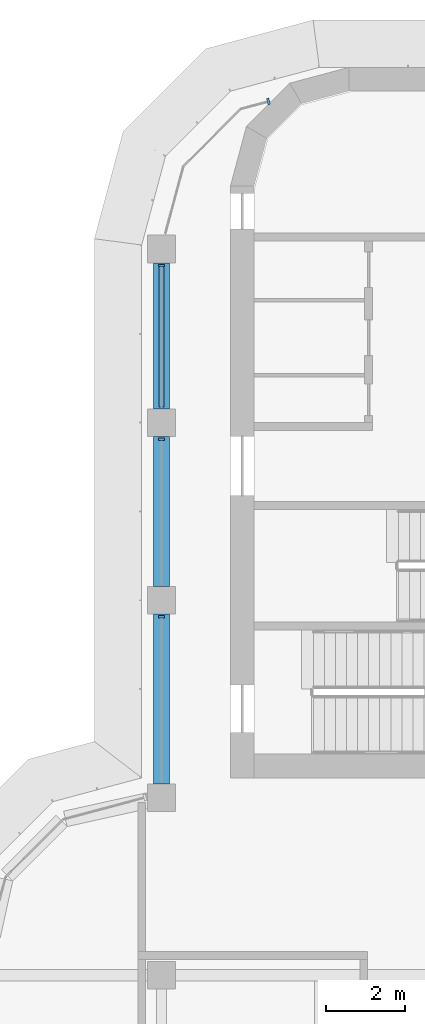
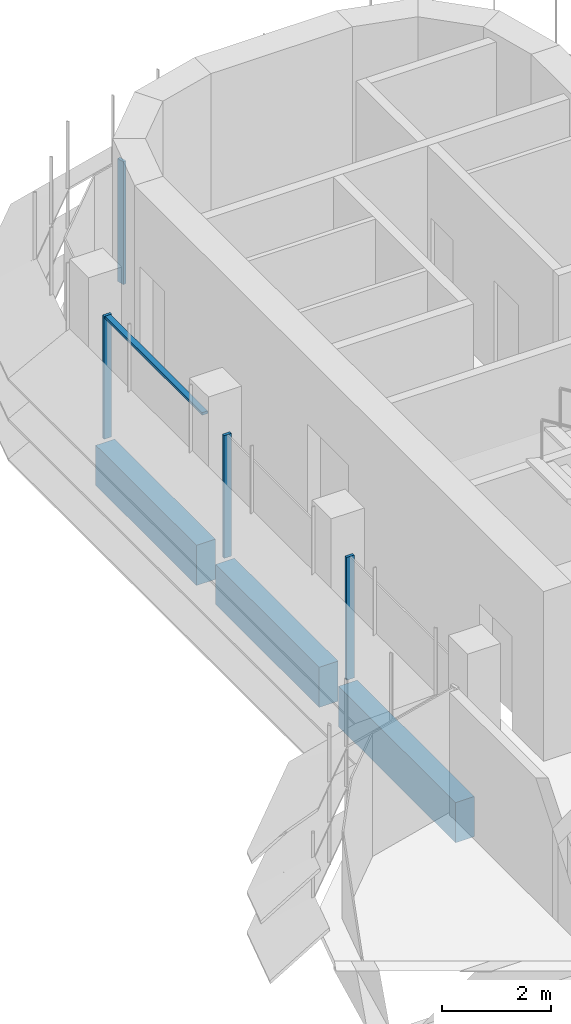
# One storey, part 7 of 19: 5 members, 3 beams, 2 elements without a shape of their own.
"""IFC4 building model written with IfcOpenShell, lengths in metres."""

from ifc_helpers import new_model, si_unit, direction, frame, origin, origin_2d, place, context, subcontext, project, spatial, polyline, rectangle, outline, extrude, source, transform, mapped, material, material_profile, profile_set, type_object, element, aggregate, save


model = new_model("IFC4")

# Units and contexts
model_context = context("Model", 3, precision=1e-05, world=origin(), true_north=direction((0.0, 1.0)))
body_context = subcontext(model_context, "Body", "Model", "MODEL_VIEW")
ifc_project = project(units=[si_unit("LENGTHUNIT", "METRE"), si_unit("AREAUNIT", "SQUARE_METRE"), si_unit("VOLUMEUNIT", "CUBIC_METRE"), si_unit("PLANEANGLEUNIT", "RADIAN"), si_unit("MASSUNIT", "GRAM", prefix="KILO")], contexts=[model_context])

# Site, building, storey
site_placement = place(None, origin())
site = spatial("IfcSite", under=ifc_project, at=site_placement, CompositionType="ELEMENT")
building_placement = place(site_placement, origin())
building = spatial("IfcBuilding", under=site, at=building_placement, Name="Zarbagh Exchange Tower", CompositionType="ELEMENT")
storey_placement = place(building_placement, frame((0.0, 0.0, 229.60009765625)))
storey = spatial("IfcBuildingStorey", under=building, at=storey_placement, Name="L56", CompositionType="ELEMENT", Elevation=229.60009765625)

# Beams
ifc_material_1 = material(Name="Concrete C50/60", Category="concrete")
ifc_material_profile = material_profile(ifc_material_1, rectangle(XDim=0.39990234375, YDim=0.89990234375, at=origin_2d()), Name="RC spandrel beam 400 x 900 C50/60")
ifc_profile_set = profile_set([ifc_material_profile], Name="Concrete C50/60")
beam_type = type_object("IfcBeamType", Name="RC spandrel beam 400 x 900 C50/60", PredefinedType="SPANDREL", material=ifc_profile_set)
beam_1_placement = place(storey_placement, frame((-6.25, 11.10009765625, -0.60009765625), z_axis=(0.0, 1.0, 0.0), x_axis=(-1.0, 0.0, 0.0)))
element("IfcBeam", 1, at=beam_1_placement, inside=storey, type_object=beam_type, Name="RC spandrel beam", PredefinedType="SPANDREL", context=body_context, shape_type="SweptSolid", body=[
    extrude(rectangle(XDim=0.39990234375, YDim=0.89990234375, at=origin_2d()), origin(), (0.0, 0.0, 1.0), 4.2998046875),
])
beam_2_placement = place(storey_placement, frame((-6.25, 16.10009765625, -0.60009765625), z_axis=(0.0, 1.0, 0.0), x_axis=(-1.0, 0.0, 0.0)))
element("IfcBeam", 2, at=beam_2_placement, inside=storey, type_object=beam_type, Name="RC spandrel beam", PredefinedType="SPANDREL", context=body_context, shape_type="SweptSolid", body=[
    extrude(rectangle(XDim=0.39990234375, YDim=0.89990234375, at=origin_2d()), origin(), (0.0, 0.0, 1.0), 3.7998046875),
])
beam_3_placement = place(storey_placement, frame((-6.25, 20.60009765625, -0.60009765625), z_axis=(0.0, 1.0, 0.0), x_axis=(-1.0, 0.0, 0.0)))
element("IfcBeam", 3, at=beam_3_placement, inside=storey, type_object=beam_type, Name="RC spandrel beam", PredefinedType="SPANDREL", context=body_context, shape_type="SweptSolid", body=[
    extrude(rectangle(XDim=0.39990234375, YDim=0.89990234375, at=origin_2d()), origin(), (0.0, 0.0, 1.0), 3.699951171875),
])

# Curtain wall, member
ifc_material_2 = material(Name="Anodised aluminium frame and glazing", Category="aluminium")
curtain_wall_type = type_object("IfcCurtainWallType", Name="CWB Ribbon glazing, upper zones", PredefinedType="NOTDEFINED", material=ifc_material_2)
curtain_wall_1_placement = place(storey_placement, origin())
curtain_wall_1 = element("IfcCurtainWall", 4, at=curtain_wall_1_placement, inside=storey, type_object=curtain_wall_type, Name="CWB70 curtain wall", PredefinedType="NOTDEFINED")
ifc_material_3 = material(Name="Anodised aluminium frame", Category="aluminium")
member_type_1 = type_object("IfcMemberType", Name="MUB Mullion, anodised aluminium frame", PredefinedType="MULLION", material=ifc_material_3)
shared_shape_1 = source(origin(), body_context, "Body", "SweptSolid", [
    extrude(outline(polyline([(0.0, -0.080078125), (0.06005859375, -0.080078125), (0.06005859375, 0.080078125), (0.0, 0.080078125), (0.0, -0.080078125)])), origin(), (0.0, 0.0, 1.0), 2.75),
])
placement = place(storey_placement, origin())
member_1 = element("IfcMember", 5, at=placement, type_object=member_type_1, Name="CWB70 mullion 1.1", PredefinedType="MULLION", context=body_context, shape_type="MappedRepresentation", body=[
    mapped(shared_shape_1, transform((-3.510009765625, 28.394775390625, 0.0), x_axis=(-0.965924289636, -0.258824779902, 0.0), y_axis=(0.258824779902, -0.965924289636, 0.0), z_axis=(0.0, 0.0, 1.0))),
])
aggregate(curtain_wall_1, [member_1])

# Curtain wall, members
curtain_wall_2_placement = place(storey_placement, origin())
curtain_wall_2 = element("IfcCurtainWall", 6, at=curtain_wall_2_placement, inside=storey, type_object=curtain_wall_type, Name="CWB73 curtain wall", PredefinedType="NOTDEFINED")
member_2 = element("IfcMember", 7, at=placement, type_object=member_type_1, Name="CWB73 mullion 1.1", PredefinedType="MULLION", context=body_context, shape_type="MappedRepresentation", body=[
    mapped(shared_shape_1, transform((-6.25, 24.260009765625, 0.0), x_axis=(0.0, -1.0, 0.0), y_axis=(1.0, 0.0, 0.0), z_axis=(0.0, 0.0, 1.0))),
])
member_3 = element("IfcMember", 8, at=placement, type_object=member_type_1, Name="CWB73 mullion 2.1", PredefinedType="MULLION", context=body_context, shape_type="MappedRepresentation", body=[
    mapped(shared_shape_1, transform((-6.25, 19.85986328125, 0.0), x_axis=(0.0, -1.0, 0.0), y_axis=(1.0, 0.0, 0.0), z_axis=(0.0, 0.0, 1.0))),
])
member_4 = element("IfcMember", 9, at=placement, type_object=member_type_1, Name="CWB73 mullion 3.1", PredefinedType="MULLION", context=body_context, shape_type="MappedRepresentation", body=[
    mapped(shared_shape_1, transform((-6.25, 15.35986328125, 0.0), x_axis=(0.0, -1.0, 0.0), y_axis=(1.0, 0.0, 0.0), z_axis=(0.0, 0.0, 1.0))),
])
member_type_2 = type_object("IfcMemberType", Name="TRB Transom, anodised aluminium frame", PredefinedType="USERDEFINED", material=ifc_material_3)
shared_shape_2 = source(origin(), body_context, "Body", "SweptSolid", [
    extrude(outline(polyline([(-0.06005859375, -0.06005859375), (0.0, -0.06005859375), (0.0, 0.06005859375), (-0.06005859375, 0.06005859375), (-0.06005859375, -0.06005859375)])), origin(), (0.0, 0.0, 1.0), 3.56005859375),
])
member_5 = element("IfcMember", 10, at=placement, type_object=member_type_2, Name="CWB73 transom 1.1", ObjectType="TRANSOM", PredefinedType="USERDEFINED", context=body_context, shape_type="MappedRepresentation", body=[
    mapped(shared_shape_2, transform((-6.25, 24.199951171875, 2.75), x_axis=(0.0, 0.0, 1.0), y_axis=(-1.0, 0.0, 0.0), z_axis=(0.0, -1.0, 0.0))),
])
aggregate(curtain_wall_2, [member_2, member_5, member_3, member_4])

save(model, "model.ifc")
